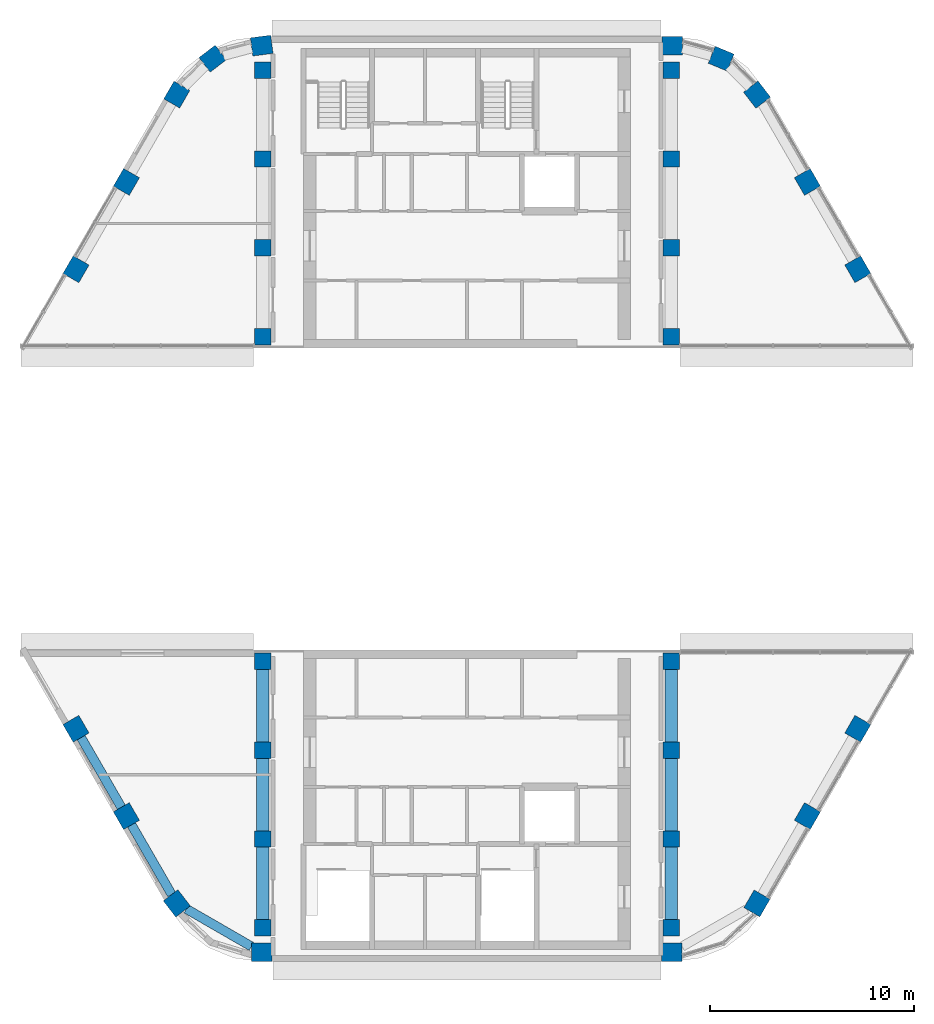
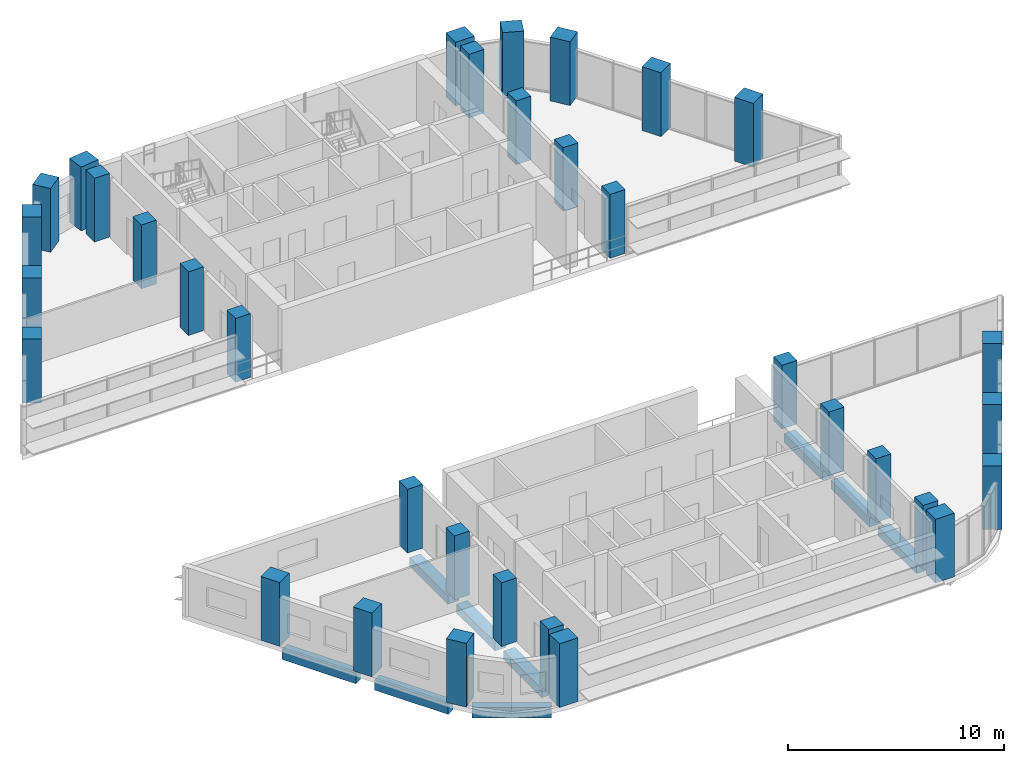
# One storey, part 1 of 13: 34 columns, 9 beams.
"""IFC4 building model written with IfcOpenShell, lengths in metres."""

from ifc_helpers import new_model, si_unit, direction, frame, origin, origin_2d, place, context, subcontext, project, spatial, rectangle, extrude, material, material_profile, profile_set, type_object, element, save


model = new_model("IFC4")

# Units and contexts
model_context = context("Model", 3, precision=1e-05, world=origin(), true_north=direction((0.0, 1.0)))
body_context = subcontext(model_context, "Body", "Model", "MODEL_VIEW")
ifc_project = project(units=[si_unit("LENGTHUNIT", "METRE"), si_unit("AREAUNIT", "SQUARE_METRE"), si_unit("VOLUMEUNIT", "CUBIC_METRE"), si_unit("PLANEANGLEUNIT", "RADIAN"), si_unit("MASSUNIT", "GRAM", prefix="KILO")], contexts=[model_context])

# Site, building, storey
site_placement = place(None, origin())
site = spatial("IfcSite", under=ifc_project, at=site_placement, CompositionType="ELEMENT")
building_placement = place(site_placement, origin())
building = spatial("IfcBuilding", under=site, at=building_placement, Name="Nakaniwa Court", CompositionType="ELEMENT")
storey_placement = place(building_placement, frame((0.0, 0.0, 286.800048828125)))
storey = spatial("IfcBuildingStorey", under=building, at=storey_placement, Name="C05", CompositionType="ELEMENT", Elevation=286.800048828125)

# Columns
ifc_material = material(Name="Concrete C80/100", Category="concrete")
ifc_material_profile_1 = material_profile(ifc_material, rectangle(XDim=1.0, YDim=0.89990234375, at=origin_2d()), Name="Concrete C80/100 RC 1000x900 perimeter column")
ifc_profile_set_1 = profile_set([ifc_material_profile_1], Name="Concrete C80/100")
column_type_1 = type_object("IfcColumnType", Name="Concrete C80/100 RC 1000x900 perimeter column", PredefinedType="COLUMN", material=ifc_profile_set_1)
for number, where, z_axis, x_axis, name in (
    (1, (69.95458984375, 102.199951171875, 0.0), (0.0, 0.0, 1.0), (-0.991442583111, -0.130543496177, 0.0), "COLUMN CO-01"),
    (2, (67.552001953125, 101.560302734375, 0.0), (0.0, 0.0, 1.0), (-0.793363965062, -0.608747582288, 0.0), "COLUMN CO-02"),
    (3, (65.796875, 99.799560546875, 0.0), (0.0, 0.0, 1.0), (-0.5, -0.866025403784, 0.0), "COLUMN CO-03"),
    (4, (63.328857421875, 95.524658203125, 0.0), (0.0, 0.0, 1.0), (-0.5, -0.866025403784, 0.0), "COLUMN CO-04"),
    (5, (60.860595703125, 91.249755859375, 0.0), (0.0, 0.0, 1.0), (-0.5, -0.866025403784, 0.0), "COLUMN CO-05"),
    (6, (60.860595703125, 68.750244140625, 0.0), (0.0, 0.0, 1.0), (0.5, -0.866025403784, 0.0), "COLUMN CO-14"),
    (7, (63.328857421875, 64.475341796875, 0.0), (0.0, 0.0, 1.0), (0.5, -0.866025403784, 0.0), "COLUMN CO-15"),
    (8, (65.796875, 60.200439453125, 0.0), (0.0, 0.0, 1.0), (0.608761429009, -0.793353340291, 0.0), "COLUMN CO-16"),
    (9, (69.95458984375, 57.800048828125, 0.0), (0.0, 0.0, 1.0), (1.0, 0.0, 0.0), "COLUMN CO-17"),
    (10, (90.03955078125, 57.800048828125, 0.0), (0.0, 0.0, 1.0), (1.0, 0.0, 0.0), "COLUMN CO-21"),
    (11, (94.203125, 60.200439453125, 0.0), (0.0, 0.0, 1.0), (0.5, 0.866025403784, 0.0), "COLUMN CO-22"),
    (12, (96.671142578125, 64.475341796875, 0.0), (0.0, 0.0, 1.0), (0.5, 0.866025403784, 0.0), "COLUMN CO-23"),
    (13, (99.139404296875, 68.750244140625, 0.0), (0.0, 0.0, 1.0), (0.5, 0.866025403784, 0.0), "COLUMN CO-24"),
    (14, (99.139404296875, 91.249755859375, 0.0), (0.0, 0.0, 1.0), (-0.5, 0.866025403784, 0.0), "COLUMN CO-33"),
    (15, (96.671142578125, 95.524658203125, 0.0), (0.0, 0.0, 1.0), (-0.5, 0.866025403784, 0.0), "COLUMN CO-34"),
    (16, (94.203125, 99.799560546875, 0.0), (0.0, 0.0, 1.0), (-0.608761429009, 0.793353340291, 0.0), "COLUMN CO-35"),
    (17, (92.447998046875, 101.560302734375, 0.0), (0.0, 0.0, 1.0), (-0.923879532511, 0.382683432365, 0.0), "COLUMN CO-36"),
    (18, (90.04541015625, 102.199951171875, 0.0), (0.0, 0.0, 1.0), (-1.0, 0.0, 0.0), "COLUMN CO-37"),
):
    element("IfcColumn", number, at=place(storey_placement, frame(where, z_axis=z_axis, x_axis=x_axis)), inside=storey, type_object=column_type_1, Name=name, PredefinedType="COLUMN", context=body_context, shape_type="SweptSolid", body=[
        extrude(rectangle(XDim=1.0, YDim=0.89990234375, at=origin_2d()), origin(), (0.0, 0.0, 1.0), 3.599853515625),
    ])
ifc_material_profile_2 = material_profile(ifc_material, rectangle(XDim=0.800048828125, YDim=0.800048828125, at=origin_2d()), Name="Concrete C80/100 RC 800x800 spine column")
ifc_profile_set_2 = profile_set([ifc_material_profile_2], Name="Concrete C80/100")
column_type_2 = type_object("IfcColumnType", Name="Concrete C80/100 RC 800x800 spine column", PredefinedType="COLUMN", material=ifc_profile_set_2)
for number, where, z_axis, x_axis, name in (
    (19, (90.0, 59.0, 0.0), (0.0, 0.0, 1.0), (0.0, 1.0, 0.0), "COLUMN CS-01"),
    (20, (90.0, 63.35009765625, 0.0), (0.0, 0.0, 1.0), (0.0, 1.0, 0.0), "COLUMN CS-02"),
    (21, (90.0, 67.699951171875, 0.0), (0.0, 0.0, 1.0), (0.0, 1.0, 0.0), "COLUMN CS-03"),
    (22, (90.0, 72.050048828125, 0.0), (0.0, 0.0, 1.0), (0.0, 1.0, 0.0), "COLUMN CS-04"),
    (23, (90.0, 87.949951171875, 0.0), (0.0, 0.0, 1.0), (0.0, 1.0, 0.0), "COLUMN CS-07"),
    (24, (90.0, 92.300048828125, 0.0), (0.0, 0.0, 1.0), (0.0, 1.0, 0.0), "COLUMN CS-08"),
    (25, (90.0, 96.64990234375, 0.0), (0.0, 0.0, 1.0), (0.0, 1.0, 0.0), "COLUMN CS-09"),
    (26, (90.0, 101.0, 0.0), (0.0, 0.0, 1.0), (0.0, 1.0, 0.0), "COLUMN CS-10"),
    (27, (70.0, 101.0, 0.0), (0.0, 0.0, 1.0), (0.0, -1.0, 0.0), "COLUMN CS-11"),
    (28, (70.0, 96.64990234375, 0.0), (0.0, 0.0, 1.0), (0.0, -1.0, 0.0), "COLUMN CS-12"),
    (29, (70.0, 92.300048828125, 0.0), (0.0, 0.0, 1.0), (0.0, -1.0, 0.0), "COLUMN CS-13"),
    (30, (70.0, 87.949951171875, 0.0), (0.0, 0.0, 1.0), (0.0, -1.0, 0.0), "COLUMN CS-14"),
    (31, (70.0, 72.050048828125, 0.0), (0.0, 0.0, 1.0), (0.0, -1.0, 0.0), "COLUMN CS-17"),
    (32, (70.0, 67.699951171875, 0.0), (0.0, 0.0, 1.0), (0.0, -1.0, 0.0), "COLUMN CS-18"),
    (33, (70.0, 63.35009765625, 0.0), (0.0, 0.0, 1.0), (0.0, -1.0, 0.0), "COLUMN CS-19"),
    (34, (70.0, 59.0, 0.0), (0.0, 0.0, 1.0), (0.0, -1.0, 0.0), "COLUMN CS-20"),
):
    element("IfcColumn", number, at=place(storey_placement, frame(where, z_axis=z_axis, x_axis=x_axis)), inside=storey, type_object=column_type_2, Name=name, PredefinedType="COLUMN", context=body_context, shape_type="SweptSolid", body=[
        extrude(rectangle(XDim=0.800048828125, YDim=0.800048828125, at=origin_2d()), origin(), (0.0, 0.0, 1.0), 3.599853515625),
    ])

# Beams
ifc_material_profile_3 = material_profile(ifc_material, rectangle(XDim=0.449951171875, YDim=0.60009765625, at=origin_2d()), Name="Concrete C80/100 RC 450x600 spandrel beam")
ifc_profile_set_3 = profile_set([ifc_material_profile_3], Name="Concrete C80/100")
beam_type_1 = type_object("IfcBeamType", Name="Concrete C80/100 RC 450x600 spandrel beam", PredefinedType="BEAM", material=ifc_profile_set_3)
beam_1_placement = place(storey_placement, frame((61.110595703125, 68.3173828125, -0.574951171875), z_axis=(0.500021313302, -0.866013098194, 0.0), x_axis=(0.866013098194, 0.500021313302, 0.0)))
element("IfcBeam", 35, at=beam_1_placement, inside=storey, type_object=beam_type_1, Name="SPANDREL BEAM", PredefinedType="BEAM", context=body_context, shape_type="SweptSolid", body=[
    extrude(rectangle(XDim=0.449951171875, YDim=0.60009765625, at=origin_2d()), origin(), (0.0, 0.0, 1.0), 3.936279296875),
])
beam_2_placement = place(storey_placement, frame((63.578857421875, 64.04248046875, -0.574951171875), z_axis=(0.499958946799, -0.866049104564, 0.0), x_axis=(0.866049104564, 0.499958946799, 0.0)))
element("IfcBeam", 36, at=beam_2_placement, inside=storey, type_object=beam_type_1, Name="SPANDREL BEAM", PredefinedType="BEAM", context=body_context, shape_type="SweptSolid", body=[
    extrude(rectangle(XDim=0.449951171875, YDim=0.60009765625, at=origin_2d()), origin(), (0.0, 0.0, 1.0), 3.931884765625),
])
beam_3_placement = place(storey_placement, frame((66.265625, 59.929931640625, -0.574951171875), z_axis=(0.866006720078, -0.500032359733, 0.0), x_axis=(0.500032359733, 0.866006720078, 0.0)))
element("IfcBeam", 37, at=beam_3_placement, inside=storey, type_object=beam_type_1, Name="SPANDREL BEAM", PredefinedType="BEAM", context=body_context, shape_type="SweptSolid", body=[
    extrude(rectangle(XDim=0.449951171875, YDim=0.60009765625, at=origin_2d()), origin(), (0.0, 0.0, 1.0), 3.682373046875),
])
ifc_material_profile_4 = material_profile(ifc_material, rectangle(XDim=0.60009765625, YDim=0.5, at=origin_2d()), Name="Concrete C80/100 RC 600x500 ring beam")
ifc_profile_set_4 = profile_set([ifc_material_profile_4], Name="Concrete C80/100")
beam_type_2 = type_object("IfcBeamType", Name="Concrete C80/100 RC 600x500 ring beam", PredefinedType="BEAM", material=ifc_profile_set_4)
for number, where, z_axis, x_axis, name in (
    (38, (90.0, 59.39990234375, -0.525146484375), (0.0, 1.0, 0.0), (-1.0, 0.0, 0.0), "RING BEAM"),
    (39, (90.0, 63.75, -0.525146484375), (0.0, 1.0, 0.0), (-1.0, 0.0, 0.0), "RING BEAM"),
):
    element("IfcBeam", number, at=place(storey_placement, frame(where, z_axis=z_axis, x_axis=x_axis)), inside=storey, type_object=beam_type_2, Name=name, PredefinedType="BEAM", context=body_context, shape_type="SweptSolid", body=[
        extrude(rectangle(XDim=0.60009765625, YDim=0.5, at=origin_2d()), origin(), (0.0, 0.0, 1.0), 3.550048828125),
    ])
for number, where, z_axis, x_axis, name in (
    (40, (90.0, 68.10009765625, -0.525146484375), (0.0, 1.0, 0.0), (-1.0, 0.0, 0.0), "RING BEAM"),
    (41, (70.0, 71.64990234375, -0.525146484375), (0.0, -1.0, 0.0), (1.0, 0.0, 0.0), "RING BEAM"),
):
    element("IfcBeam", number, at=place(storey_placement, frame(where, z_axis=z_axis, x_axis=x_axis)), inside=storey, type_object=beam_type_2, Name=name, PredefinedType="BEAM", context=body_context, shape_type="SweptSolid", body=[
        extrude(rectangle(XDim=0.60009765625, YDim=0.5, at=origin_2d()), origin(), (0.0, 0.0, 1.0), 3.5498046875),
    ])
for number, where, z_axis, x_axis, name in (
    (42, (70.0, 67.300048828125, -0.525146484375), (0.0, -1.0, 0.0), (1.0, 0.0, 0.0), "RING BEAM"),
    (43, (70.0, 62.949951171875, -0.525146484375), (0.0, -1.0, 0.0), (1.0, 0.0, 0.0), "RING BEAM"),
):
    element("IfcBeam", number, at=place(storey_placement, frame(where, z_axis=z_axis, x_axis=x_axis)), inside=storey, type_object=beam_type_2, Name=name, PredefinedType="BEAM", context=body_context, shape_type="SweptSolid", body=[
        extrude(rectangle(XDim=0.60009765625, YDim=0.5, at=origin_2d()), origin(), (0.0, 0.0, 1.0), 3.550048828125),
    ])

save(model, "model.ifc")
